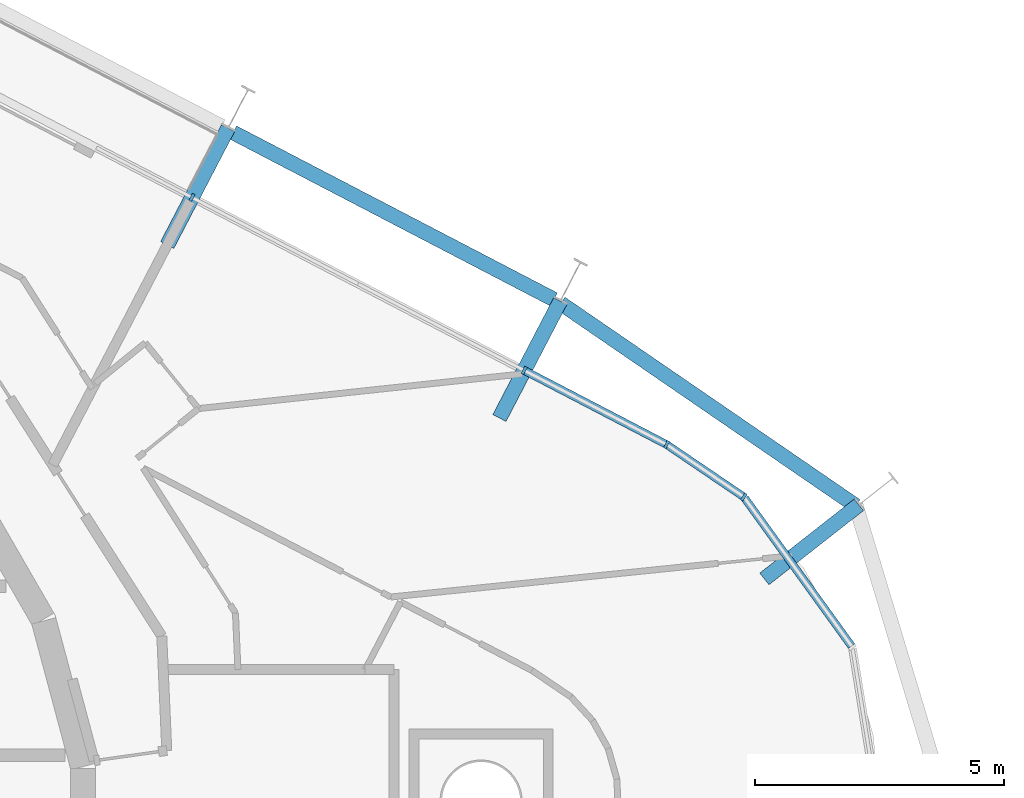
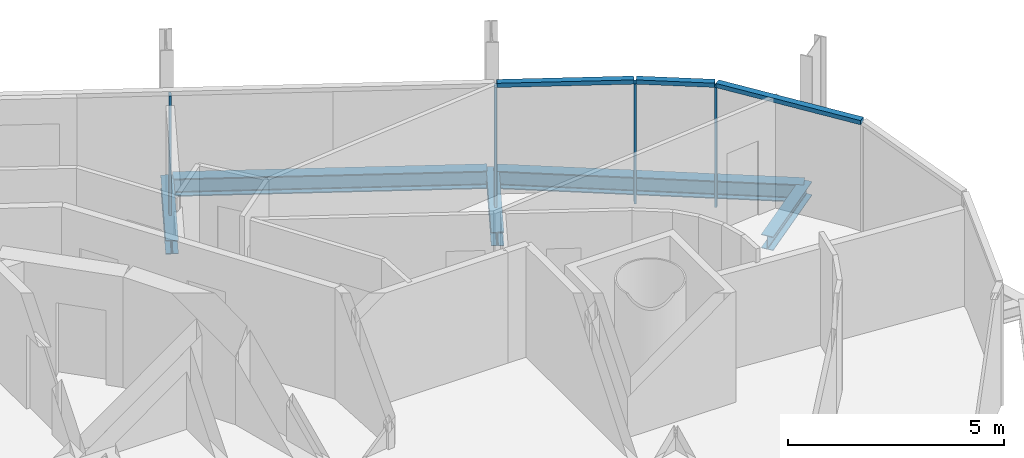
# One storey, part 9 of 18: 7 members, 5 beams, 2 elements without a shape of their own.
"""IFC4 building model written with IfcOpenShell, lengths in metres."""

from ifc_helpers import new_model, si_unit, direction, frame, origin, origin_2d, place, context, subcontext, project, spatial, rectangle, i_section, extrude, material, layer, layer_set, material_profile, profile_set, type_object, element, aggregate, save


model = new_model("IFC4")

# Units and contexts
model_context = context("Model", 3, precision=1e-05, world=origin(), true_north=direction((0.0, 1.0)))
body_context = subcontext(model_context, "Body", "Model", "MODEL_VIEW")
ifc_project = project(units=[si_unit("LENGTHUNIT", "METRE"), si_unit("AREAUNIT", "SQUARE_METRE"), si_unit("VOLUMEUNIT", "CUBIC_METRE"), si_unit("PLANEANGLEUNIT", "RADIAN"), si_unit("MASSUNIT", "GRAM", prefix="KILO")], contexts=[model_context])

# Site, building, storey
site_placement = place(None, origin())
site = spatial("IfcSite", under=ifc_project, at=site_placement, CompositionType="ELEMENT")
building_placement = place(site_placement, origin())
building = spatial("IfcBuilding", under=site, at=building_placement, Name="Spindle Arch Residences", CompositionType="ELEMENT")
storey_placement = place(building_placement, frame((0.0, 0.0, 247.699951171875)))
storey = spatial("IfcBuildingStorey", under=building, at=storey_placement, Name="L63", CompositionType="ELEMENT", Elevation=247.699951171875)

# Curtain wall, members
ifc_material_1 = material(Name="Aluminium bronze unitised frame with tinted glass", Category="aluminium")
ifc_layer_1 = layer(ifc_material_1, 0.159912109375)
ifc_layer_set_1 = layer_set([ifc_layer_1], Name="CW-D corner wall on the fillet arcs")
curtain_wall_type_1 = type_object("IfcCurtainWallType", Name="CW-D corner wall on the fillet arcs", PredefinedType="NOTDEFINED", material=ifc_layer_set_1)
curtain_wall_1_placement = place(storey_placement, origin())
curtain_wall_1 = element("IfcCurtainWall", 1, at=curtain_wall_1_placement, inside=storey, type_object=curtain_wall_type_1, Name="CW-D L63 run 1", PredefinedType="NOTDEFINED")
ifc_material_2 = material(Name="Aluminium bronze anodised mullion", Category="aluminium")
ifc_material_profile_1 = material_profile(ifc_material_2, rectangle(XDim=0.159912109375, YDim=0.06005859375, at=origin_2d()), Name="MU 60x160")
ifc_profile_set_1 = profile_set([ifc_material_profile_1], Name="Aluminium bronze anodised mullion")
member_type_1 = type_object("IfcMemberType", Name="Bronze mullion 60x160", PredefinedType="MULLION", material=ifc_profile_set_1)
member_1_placement = place(storey_placement, frame((24.93310546875, 6.971435546875, -0.3798828125), z_axis=(0.0, 0.0, 1.0), x_axis=(-0.561602105546, -0.827407441981, 0.0)))
member_1 = element("IfcMember", 2, at=member_1_placement, type_object=member_type_1, Name="CW-D mullion 05", PredefinedType="MULLION", context=body_context, shape_type="SweptSolid", body=[
    extrude(rectangle(XDim=0.159912109375, YDim=0.06005859375, at=origin_2d()), origin(), (0.0, 0.0, 1.0), 3.3798828125),
])
member_2_placement = place(storey_placement, frame((23.380859375, 8.02490234375, -0.3798828125), z_axis=(0.0, 0.0, 1.0), x_axis=(-0.461748613235, -0.887010833178, 0.0)))
member_2 = element("IfcMember", 3, at=member_2_placement, type_object=member_type_1, Name="CW-D mullion 06", PredefinedType="MULLION", context=body_context, shape_type="SweptSolid", body=[
    extrude(rectangle(XDim=0.159912109375, YDim=0.06005859375, at=origin_2d()), origin(), (0.0, 0.0, 1.0), 3.3798828125),
])

ifc_material_3 = material(Name="Aluminium bronze unitised frame with tinted glass", Category="aluminium")
ifc_layer_2 = layer(ifc_material_3, 0.159912109375)
ifc_layer_set_2 = layer_set([ifc_layer_2], Name="CW-C typical residential unitised wall")
curtain_wall_type_2 = type_object("IfcCurtainWallType", Name="CW-C typical residential unitised wall", PredefinedType="NOTDEFINED", material=ifc_layer_set_2)
curtain_wall_2_placement = place(storey_placement, origin())
curtain_wall_2 = element("IfcCurtainWall", 4, at=curtain_wall_2_placement, inside=storey, type_object=curtain_wall_type_2, Name="CW-C L63 run 2", PredefinedType="NOTDEFINED")
member_3_placement = place(storey_placement, frame((20.517333984375, 9.515625, -0.3798828125), z_axis=(0.0, 0.0, 1.0), x_axis=(-0.461748613235, -0.887010833178, 0.0)))
member_3 = element("IfcMember", 5, at=member_3_placement, type_object=member_type_1, Name="CW-C mullion 05", PredefinedType="MULLION", context=body_context, shape_type="SweptSolid", body=[
    extrude(rectangle(XDim=0.159912109375, YDim=0.06005859375, at=origin_2d()), origin(), (0.0, 0.0, 1.0), 3.3798828125),
])
member_4_placement = place(storey_placement, frame((13.837890625, 12.99267578125, -0.3798828125), z_axis=(0.0, 0.0, 1.0), x_axis=(-0.461748613235, -0.887010833178, 0.0)))
member_4 = element("IfcMember", 6, at=member_4_placement, type_object=member_type_1, Name="CW-C mullion 06", PredefinedType="MULLION", context=body_context, shape_type="SweptSolid", body=[
    extrude(rectangle(XDim=0.159912109375, YDim=0.06005859375, at=origin_2d()), origin(), (0.0, 0.0, 1.0), 3.3798828125),
])
aggregate(curtain_wall_2, [member_3, member_4])

# Member
ifc_material_4 = material(Name="Aluminium bronze anodised transom", Category="aluminium")
ifc_material_profile_2 = material_profile(ifc_material_4, rectangle(XDim=0.159912109375, YDim=0.1201171875, at=origin_2d()), Name="TR 120x160")
ifc_profile_set_2 = profile_set([ifc_material_profile_2], Name="Aluminium bronze anodised transom")
member_type_2 = type_object("IfcMemberType", Name="Bronze transom 120x160", PredefinedType="USERDEFINED", material=ifc_profile_set_2)
member_5_placement = place(storey_placement, frame((27.097412109375, 3.974365234375, 3.06005859375), z_axis=(-0.585456519469, 0.810703807695, 0.0), x_axis=(-0.810703807695, -0.585456519469, 0.0)))
member_5 = element("IfcMember", 7, at=member_5_placement, type_object=member_type_2, Name="CW-D transom 04", ObjectType="TRANSOM", PredefinedType="USERDEFINED", context=body_context, shape_type="SweptSolid", body=[
    extrude(rectangle(XDim=0.159912109375, YDim=0.1201171875, at=origin_2d()), origin(), (0.0, 0.0, 1.0), 3.666748046875),
])

member_6_placement = place(storey_placement, frame((24.908447265625, 6.98828125, 3.06005859375), z_axis=(-0.827451234698, 0.561537580396, 0.0), x_axis=(-0.561537580396, -0.827451234698, 0.0)))
member_6 = element("IfcMember", 8, at=member_6_placement, type_object=member_type_2, Name="CW-D transom 05", ObjectType="TRANSOM", PredefinedType="USERDEFINED", context=body_context, shape_type="SweptSolid", body=[
    extrude(rectangle(XDim=0.159912109375, YDim=0.1201171875, at=origin_2d()), origin(), (0.0, 0.0, 1.0), 1.816162109375),
])

member_7_placement = place(storey_placement, frame((23.354248046875, 8.038818359375, 3.06005859375), z_axis=(-0.886987077292, 0.461794245002, 0.0), x_axis=(-0.461794245002, -0.886987077292, 0.0)))
member_7 = element("IfcMember", 9, at=member_7_placement, type_object=member_type_2, Name="CW-D transom 06", ObjectType="TRANSOM", PredefinedType="USERDEFINED", context=body_context, shape_type="SweptSolid", body=[
    extrude(rectangle(XDim=0.159912109375, YDim=0.1201171875, at=origin_2d()), origin(), (0.0, 0.0, 1.0), 3.16845703125),
])

aggregate(curtain_wall_1, [member_5, member_1, member_6, member_2, member_7])

# Beams
ifc_material_5 = material(Name="Steel S460ML, intumescent coating R 120", Category="steel")
ifc_material_profile_3 = material_profile(ifc_material_5, i_section(OverallWidth=0.300048828125, OverallDepth=0.5, WebThickness=0.014404296875, FlangeThickness=0.028076171875, FilletRadius=0.027099609375, at=origin_2d()), Name="HEB 500")
ifc_profile_set_3 = profile_set([ifc_material_profile_3], Name="Steel S460ML, intumescent coating R 120")
beam_type_1 = type_object("IfcBeamType", Name="Exoskeleton edge beam HEB 500", PredefinedType="BEAM", material=ifc_profile_set_3)
beam_1_placement = place(storey_placement, frame((27.1845703125, 6.7939453125, -0.6298828125), z_axis=(-0.82461761875, 0.565690536289, 0.0), x_axis=(-0.565690536289, -0.82461761875, 0.0)))
element("IfcBeam", 10, at=beam_1_placement, inside=storey, type_object=beam_type_1, Name="Exoskeleton edge beam 5", PredefinedType="BEAM", context=body_context, shape_type="SweptSolid", body=[
    extrude(i_section(OverallWidth=0.300048828125, OverallDepth=0.5, WebThickness=0.014404296875, FlangeThickness=0.028076171875, FilletRadius=0.027099609375, at=origin_2d()), origin(), (0.0, 0.0, 1.0), 7.196044921875),
])
beam_2_placement = place(storey_placement, frame((21.113037109375, 10.94189453125, -0.6298828125), z_axis=(-0.887028136443, 0.461715372452, 0.0), x_axis=(-0.461715372452, -0.887028136443, 0.0)))
element("IfcBeam", 11, at=beam_2_placement, inside=storey, type_object=beam_type_1, Name="Exoskeleton edge beam 6", PredefinedType="BEAM", context=body_context, shape_type="SweptSolid", body=[
    extrude(i_section(OverallWidth=0.300048828125, OverallDepth=0.5, WebThickness=0.014404296875, FlangeThickness=0.028076171875, FilletRadius=0.027099609375, at=origin_2d()), origin(), (0.0, 0.0, 1.0), 7.27001953125),
])
ifc_material_6 = material(Name="Steel S460ML, intumescent coating R 120", Category="steel")
ifc_material_profile_4 = material_profile(ifc_material_6, i_section(OverallWidth=0.300048828125, OverallDepth=0.389892578125, WebThickness=0.010986328125, FlangeThickness=0.01904296875, FilletRadius=0.027099609375, at=origin_2d()), Name="HEA 400")
ifc_profile_set_4 = profile_set([ifc_material_profile_4], Name="Steel S460ML, intumescent coating R 120")
beam_type_2 = type_object("IfcBeamType", Name="Floor outrigger HEA 400", PredefinedType="BEAM", material=ifc_profile_set_4)
beam_3_placement = place(storey_placement, frame((27.244140625, 6.81201171875, -0.574951171875), z_axis=(-0.786970935565, -0.616990070079, 0.0), x_axis=(0.616990070079, -0.786970935565, 0.0)))
element("IfcBeam", 12, at=beam_3_placement, inside=storey, type_object=beam_type_2, Name="Floor outrigger 5", PredefinedType="BEAM", context=body_context, shape_type="SweptSolid", body=[
    extrude(i_section(OverallWidth=0.300048828125, OverallDepth=0.389892578125, WebThickness=0.010986328125, FlangeThickness=0.01904296875, FilletRadius=0.027099609375, at=origin_2d()), origin(), (0.0, 0.0, 1.0), 2.412841796875),
])
for number, where, z_axis, x_axis, name in (
    (13, (21.2421875, 10.908203125, -0.574951171875), (-0.461784931359, -0.886991926215, 0.0), (0.886991926215, -0.461784931359, 0.0), "Floor outrigger 6"),
    (14, (14.56298828125, 14.38525390625, -0.574951171875), (-0.461784931359, -0.886991926215, 0.0), (0.886991926215, -0.461784931359, 0.0), "Floor outrigger 7"),
):
    element("IfcBeam", number, at=place(storey_placement, frame(where, z_axis=z_axis, x_axis=x_axis)), inside=storey, type_object=beam_type_2, Name=name, PredefinedType="BEAM", context=body_context, shape_type="SweptSolid", body=[
        extrude(i_section(OverallWidth=0.300048828125, OverallDepth=0.389892578125, WebThickness=0.010986328125, FlangeThickness=0.01904296875, FilletRadius=0.027099609375, at=origin_2d()), origin(), (0.0, 0.0, 1.0), 2.64990234375),
    ])

save(model, "model.ifc")
